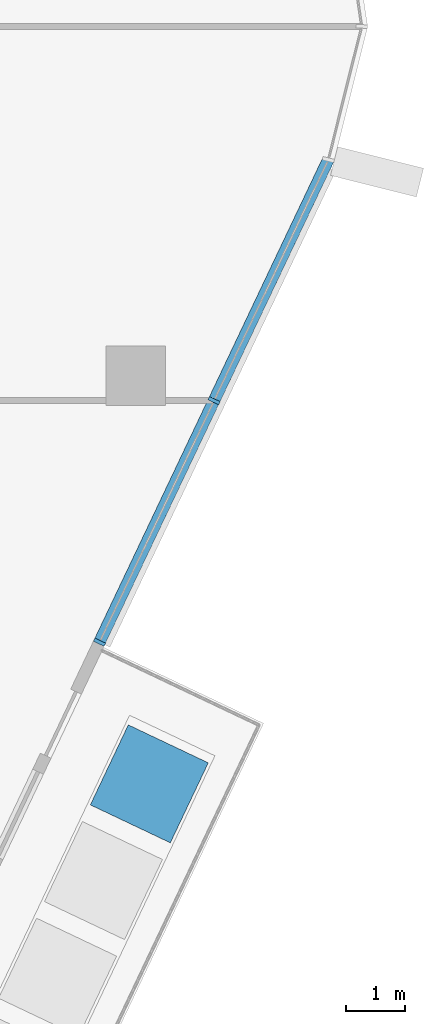
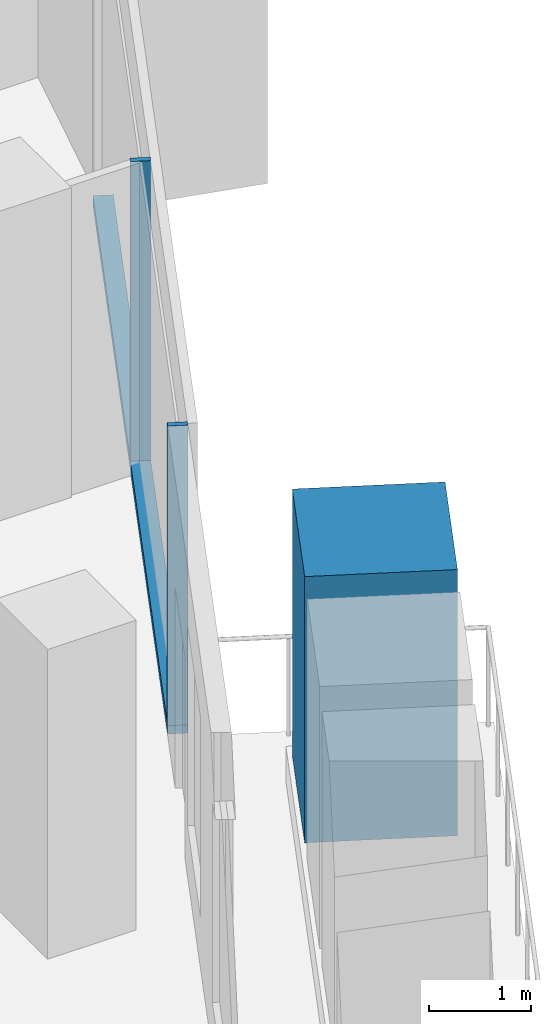
# One storey, part 5 of 24: 4 members, 1 element without a shape of its own.
"""IFC4 building model written with IfcOpenShell, lengths in metres."""

import ifcopenshell
import ifcopenshell.guid

model = None  # the IFC model being written
_history = None  # IfcOwnerHistory: only IFC2X3 demands one
_inside = {}  # id of a spatial element -> (the spatial element, [elements in it])
_under = {}  # id of a project, library or spatial element -> (it, [spatial elements below it])
_declared = {}  # id of a project -> (the project, [libraries it declares])
_typed = {}  # id of a type object -> (the type object, [elements of that type])
_made_of = {}  # id of a material, layer set ... -> (it, [elements and type objects made of it])


def new_model(schema):
    """Start an empty IFC model of exactly this schema.

    Asked for "IFC4X3", IfcOpenShell would pick the latest addendum, in which some entities
    have other attributes; the version numbers below select the first issue.
    IFC2X3 requires an IfcOwnerHistory on every rooted entity: one is made here for all.
    """
    global model, _history
    if schema == "IFC4X3":
        model = ifcopenshell.file(schema_version=(4, 3, 0, 0))
    else:
        model = ifcopenshell.file(schema=schema)
    _inside.clear()
    _under.clear()
    _declared.clear()
    _typed.clear()
    _made_of.clear()
    _history = None
    if model.schema == "IFC2X3":
        org = make("IfcOrganization", Name="unknown")
        user = make(
            "IfcPersonAndOrganization",
            ThePerson=make("IfcPerson", FamilyName="unknown"),
            TheOrganization=org,
        )
        app = make(
            "IfcApplication",
            ApplicationDeveloper=org,
            Version="unknown",
            ApplicationFullName="unknown",
            ApplicationIdentifier="unknown",
        )
        _history = make(
            "IfcOwnerHistory",
            OwningUser=user,
            OwningApplication=app,
            ChangeAction="ADDED",
            CreationDate=0,
        )
    return model


def make(cls, **values):
    """One entity of the class cls with the attributes given. An attribute that is None is left unset."""
    return model.create_entity(
        cls, **{name: value for name, value in values.items() if value is not None}
    )


def rooted(cls, **values):
    """An entity with a GlobalId (a new one), such as an element, a storey or a relation."""
    return make(cls, GlobalId=ifcopenshell.guid.new(), OwnerHistory=_history, **values)


def si_unit(unit_type, name, prefix=None):
    """IfcSIUnit, for example si_unit("LENGTHUNIT", "METRE", prefix="MILLI")."""
    return make("IfcSIUnit", UnitType=unit_type, Prefix=prefix, Name=name)


def assignment(units):
    """IfcUnitAssignment: the units of a project."""
    return None if units is None else make("IfcUnitAssignment", Units=units)


def point(xyz):
    """IfcCartesianPoint."""
    return None if xyz is None else make("IfcCartesianPoint", Coordinates=xyz)


def direction(xyz):
    """IfcDirection."""
    return None if xyz is None else make("IfcDirection", DirectionRatios=xyz)


def frame(location, z_axis=None, x_axis=None):
    """IfcAxis2Placement3D, a coordinate frame: its origin and axes. An axis left out is left unset."""
    return make(
        "IfcAxis2Placement3D",
        Location=point(location),
        Axis=direction(z_axis),
        RefDirection=direction(x_axis),
    )


def frame_2d(location, x_axis=None):
    """IfcAxis2Placement2D, a coordinate frame in the plane: its origin and x axis."""
    return make(
        "IfcAxis2Placement2D", Location=point(location), RefDirection=direction(x_axis)
    )


def origin():
    """The frame at (0, 0, 0) with its axes left unset."""
    return frame((0.0, 0.0, 0.0))


def origin_2d():
    """The frame at (0, 0) in the plane with its x axis left unset."""
    return frame_2d((0.0, 0.0))


def place(relative_to, where):
    """IfcLocalPlacement: puts the frame where relative to a parent placement (None: the world)."""
    return make(
        "IfcLocalPlacement", PlacementRelTo=relative_to, RelativePlacement=where
    )


def context(
    kind, dimensions, precision=None, world=None, true_north=None, identifier=None
):
    """IfcGeometricRepresentationContext, for example the 3D "Model" context."""
    return make(
        "IfcGeometricRepresentationContext",
        ContextIdentifier=identifier,
        ContextType=kind,
        CoordinateSpaceDimension=dimensions,
        Precision=precision,
        WorldCoordinateSystem=world,
        TrueNorth=true_north,
    )


def subcontext(parent, identifier, kind, view, scale=None):
    """IfcGeometricRepresentationSubContext, for example "Body" below "Model"."""
    return make(
        "IfcGeometricRepresentationSubContext",
        ContextIdentifier=identifier,
        ContextType=kind,
        ParentContext=parent,
        TargetScale=scale,
        TargetView=view,
    )


def project(units=None, contexts=None):
    """IfcProject with its units and contexts."""
    return rooted(
        "IfcProject",
        Name="project",
        RepresentationContexts=contexts,
        UnitsInContext=assignment(units),
    )


def spatial(cls, under=None, at=None, **own):
    """A site, building, storey or space (cls), placed at a placement, below another one or the project."""
    s = rooted(cls, ObjectPlacement=at, **own)
    if under is not None:
        _under.setdefault(under.id(), (under, []))[1].append(s)
    return s


def profile(cls, at=None, kind="AREA", **sizes):
    """A parametric profile (cls). Its sizes go by their IFC names, for example OverallWidth=200.0."""
    return make(cls, ProfileType=kind, Position=at, **sizes)


def rectangle(**sizes):
    """IfcRectangleProfileDef."""
    return profile("IfcRectangleProfileDef", **sizes)


def extrude(swept, where, along, depth):
    """IfcExtrudedAreaSolid: the profile swept, set in the frame where, extruded along a direction by depth."""
    return make(
        "IfcExtrudedAreaSolid",
        SweptArea=swept,
        Position=where,
        ExtrudedDirection=direction(along),
        Depth=depth,
    )


def shape(context_of_items, identifier, shape_type, items):
    """IfcShapeRepresentation: the items that make up one representation, for example the "Body"."""
    return make(
        "IfcShapeRepresentation",
        ContextOfItems=context_of_items,
        RepresentationIdentifier=identifier,
        RepresentationType=shape_type,
        Items=items,
    )


def material(Name=None, Category=None):
    """IfcMaterial."""
    return make("IfcMaterial", Name=Name, Category=Category)


def layer(
    of_material, thickness, ventilated=None, Name=None, Category=None, Priority=None
):
    """IfcMaterialLayer: one layer of a wall or slab, of a material (None: an air gap)."""
    return make(
        "IfcMaterialLayer",
        Material=of_material,
        LayerThickness=thickness,
        IsVentilated=ventilated,
        Name=Name,
        Category=Category,
        Priority=Priority,
    )


def layer_set(layers, Name=None):
    """IfcMaterialLayerSet."""
    return make("IfcMaterialLayerSet", MaterialLayers=layers, LayerSetName=Name)


def material_profile(
    of_material, cross_section, Name=None, Category=None, Priority=None
):
    """IfcMaterialProfile: a cross section and its material."""
    return make(
        "IfcMaterialProfile",
        Name=Name,
        Material=of_material,
        Profile=cross_section,
        Priority=Priority,
        Category=Category,
    )


def profile_set(profiles, Name=None, composite=None):
    """IfcMaterialProfileSet."""
    return make(
        "IfcMaterialProfileSet",
        Name=Name,
        MaterialProfiles=profiles,
        CompositeProfile=composite,
    )


def made_of(thing, what):
    """Note that an element or type object is made of a material, layer set ...; save() writes the relation."""
    if what is not None:
        _made_of.setdefault(what.id(), (what, []))[1].append(thing)
    return thing


def type_object(cls, material=None, **own):
    """A type object (cls), such as IfcWallType, which elements share."""
    return made_of(rooted(cls, **own), material)


def element(
    cls,
    number,
    at=None,
    inside=None,
    cuts=None,
    type_object=None,
    material=None,
    context=None,
    identifier="Body",
    shape_type=None,
    held_by="IfcProductDefinitionShape",
    body=None,
    shapes=None,
    **own,
):
    """One element of the class cls, such as IfcWall. Its Tag is "e" and its number.

    at: its placement. inside: the storey or other place that contains it. cuts: it is an
    opening in that element (IfcRelVoidsElement). A single representation is given by context,
    identifier, shape_type and body (its items); several are given by shapes. held_by: the class
    of the entity that holds the representations. save() writes the other relations.
    """
    e = rooted(cls, Tag="e%d" % number, ObjectPlacement=at, **own)
    if body is not None:
        shapes = [shape(context, identifier, shape_type, body)]
    if shapes is not None:
        e.Representation = make(held_by, Representations=shapes)
    if inside is not None:
        _inside.setdefault(inside.id(), (inside, []))[1].append(e)
    if cuts is not None:
        rooted(
            "IfcRelVoidsElement", RelatingBuildingElement=cuts, RelatedOpeningElement=e
        )
    if type_object is not None:
        _typed.setdefault(type_object.id(), (type_object, []))[1].append(e)
    return made_of(e, material)


def aggregate(whole, parts):
    """IfcRelAggregates: a whole, such as a stair, and the parts it consists of."""
    return rooted("IfcRelAggregates", RelatingObject=whole, RelatedObjects=parts)


def save(model, path):
    """Write the relations noted so far, then the file.

    IfcRelAggregates (storeys below a building ...), IfcRelContainedInSpatialStructure (elements
    in a storey), IfcRelDefinesByType, IfcRelAssociatesMaterial and IfcRelDeclares: one each for
    every whole, place, type object, material and project.
    """
    for whole, parts in _under.values():
        aggregate(whole, parts)
    for where, things in _inside.values():
        rooted(
            "IfcRelContainedInSpatialStructure",
            RelatedElements=things,
            RelatingStructure=where,
        )
    for kind, things in _typed.values():
        rooted("IfcRelDefinesByType", RelatedObjects=things, RelatingType=kind)
    for what, things in _made_of.values():
        rooted("IfcRelAssociatesMaterial", RelatedObjects=things, RelatingMaterial=what)
    for by, libraries in _declared.values():
        rooted("IfcRelDeclares", RelatingContext=by, RelatedDefinitions=libraries)
    model.write(path)


model = new_model("IFC4")

# Units and contexts
model_context = context("Model", 3, precision=1e-05, world=origin(), true_north=direction((0.0, 1.0)))
body_context = subcontext(model_context, "Body", "Model", "MODEL_VIEW")
ifc_project = project(units=[si_unit("LENGTHUNIT", "METRE"), si_unit("AREAUNIT", "SQUARE_METRE"), si_unit("VOLUMEUNIT", "CUBIC_METRE"), si_unit("PLANEANGLEUNIT", "RADIAN"), si_unit("MASSUNIT", "GRAM", prefix="KILO")], contexts=[model_context])

# Site, building, storey
site_placement = place(None, origin())
site = spatial("IfcSite", under=ifc_project, at=site_placement, CompositionType="ELEMENT")
building_placement = place(site_placement, origin())
building = spatial("IfcBuilding", under=site, at=building_placement, Name="Dongbaek Canopy Tower", CompositionType="ELEMENT")
storey_placement = place(building_placement, frame((0.0, 0.0, 348.800048828125)))
storey = spatial("IfcBuildingStorey", under=building, at=storey_placement, Name="L75", CompositionType="ELEMENT", Elevation=348.800048828125)

# Curtain wall, members
ifc_material_1 = material(Name="Aluminium 6063-T6 pale anodised", Category="aluminium")
ifc_layer = layer(ifc_material_1, 0.199951171875)
ifc_layer_set = layer_set([ifc_layer], Name="CW-1 unitised tower curtain wall")
curtain_wall_type = type_object("IfcCurtainWallType", Name="CW-1 unitised tower curtain wall", PredefinedType="NOTDEFINED", material=ifc_layer_set)
curtain_wall_placement = place(storey_placement, origin())
curtain_wall = element("IfcCurtainWall", 1, at=curtain_wall_placement, inside=storey, type_object=curtain_wall_type, Name="CW-1 curtain wall F5.1", PredefinedType="NOTDEFINED")
ifc_material_2 = material(Name="Aluminium 6063-T6 pale anodised", Category="aluminium")
ifc_material_profile_1 = material_profile(ifc_material_2, rectangle(XDim=0.199951171875, YDim=0.06005859375, at=origin_2d()), Name="CW-1 mullion 60 x 200")
ifc_profile_set_1 = profile_set([ifc_material_profile_1], Name="Aluminium 6063-T6 pale anodised")
member_type_1 = type_object("IfcMemberType", Name="CW-1 mullion 60 x 200", PredefinedType="MULLION", material=ifc_profile_set_1)
member_1_placement = place(storey_placement, frame((27.73681640625, -4.681640625, 0.119873046875), z_axis=(0.0, 0.0, 1.0), x_axis=(0.903531350723, -0.428521992738, 0.0)))
member_1 = element("IfcMember", 2, at=member_1_placement, type_object=member_type_1, Name="CW-1 mullion F5.1.1", PredefinedType="MULLION", context=body_context, shape_type="SweptSolid", body=[
    extrude(rectangle(XDim=0.199951171875, YDim=0.06005859375, at=origin_2d()), origin(), (0.0, 0.0, 1.0), 3.580078125),
])
member_2_placement = place(storey_placement, frame((29.676513671875, -0.591552734375, 0.119873046875), z_axis=(0.0, 0.0, 1.0), x_axis=(0.903531350723, -0.428521992738, 0.0)))
member_2 = element("IfcMember", 3, at=member_2_placement, type_object=member_type_1, Name="CW-1 mullion F5.1.2", PredefinedType="MULLION", context=body_context, shape_type="SweptSolid", body=[
    extrude(rectangle(XDim=0.199951171875, YDim=0.06005859375, at=origin_2d()), origin(), (0.0, 0.0, 1.0), 3.580078125),
])
ifc_material_3 = material(Name="Aluminium 6063-T6 pale anodised", Category="aluminium")
ifc_material_profile_2 = material_profile(ifc_material_3, rectangle(XDim=0.199951171875, YDim=0.1201171875, at=origin_2d()), Name="CW-1 transom 120 x 200")
ifc_profile_set_2 = profile_set([ifc_material_profile_2], Name="Aluminium 6063-T6 pale anodised")
member_type_2 = type_object("IfcMemberType", Name="CW-1 transom 120 x 200", PredefinedType="USERDEFINED", material=ifc_profile_set_2)
member_3_placement = place(storey_placement, frame((27.73681640625, -4.681640625, 0.06005859375), z_axis=(0.428511029876, 0.903536550049, 0.0), x_axis=(-0.903536550049, 0.428511029876, 0.0)))
member_3 = element("IfcMember", 4, at=member_3_placement, type_object=member_type_2, Name="CW-1 transom F5.1.1", ObjectType="TRANSOM", PredefinedType="USERDEFINED", context=body_context, shape_type="SweptSolid", body=[
    extrude(rectangle(XDim=0.199951171875, YDim=0.1201171875, at=origin_2d()), origin(), (0.0, 0.0, 1.0), 9.04345703125),
])
aggregate(curtain_wall, [member_1, member_2, member_3])

# Member
ifc_material_4 = material(Name="Concrete C40/50 planter mass with planting", Category="concrete")
ifc_material_profile_3 = material_profile(ifc_material_4, rectangle(XDim=1.5, YDim=1.5, at=origin_2d()), Name="Terrace PLANTER shrub mass 1500 x 1500")
ifc_profile_set_3 = profile_set([ifc_material_profile_3], Name="Concrete C40/50 planter mass with planting")
member_type_3 = type_object("IfcMemberType", Name="Terrace PLANTER shrub mass 1500 x 1500", PredefinedType="USERDEFINED", material=ifc_profile_set_3)
member_4_placement = place(storey_placement, frame((28.580322265625, -7.080322265625, 0.419921875), z_axis=(0.0, 0.0, 1.0), x_axis=(0.903531350723, -0.428521992738, 0.0)))
element("IfcMember", 5, at=member_4_placement, inside=storey, type_object=member_type_3, Name="Planter shrubs L75 5.9", ObjectType="PLANTER", PredefinedType="USERDEFINED", context=body_context, shape_type="SweptSolid", body=[
    extrude(rectangle(XDim=1.5, YDim=1.5, at=origin_2d()), origin(), (0.0, 0.0, 1.0), 3.179931640625),
])

save(model, "model.ifc")
